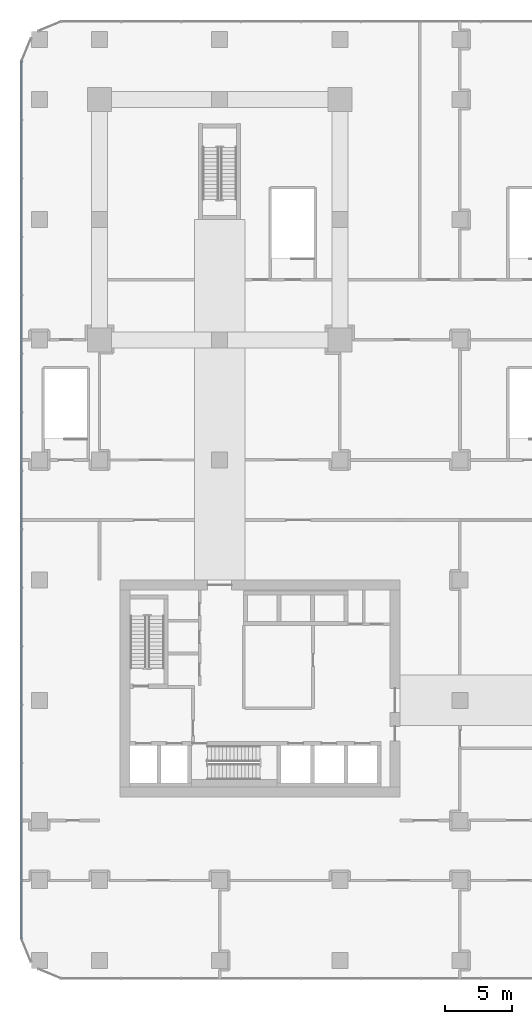
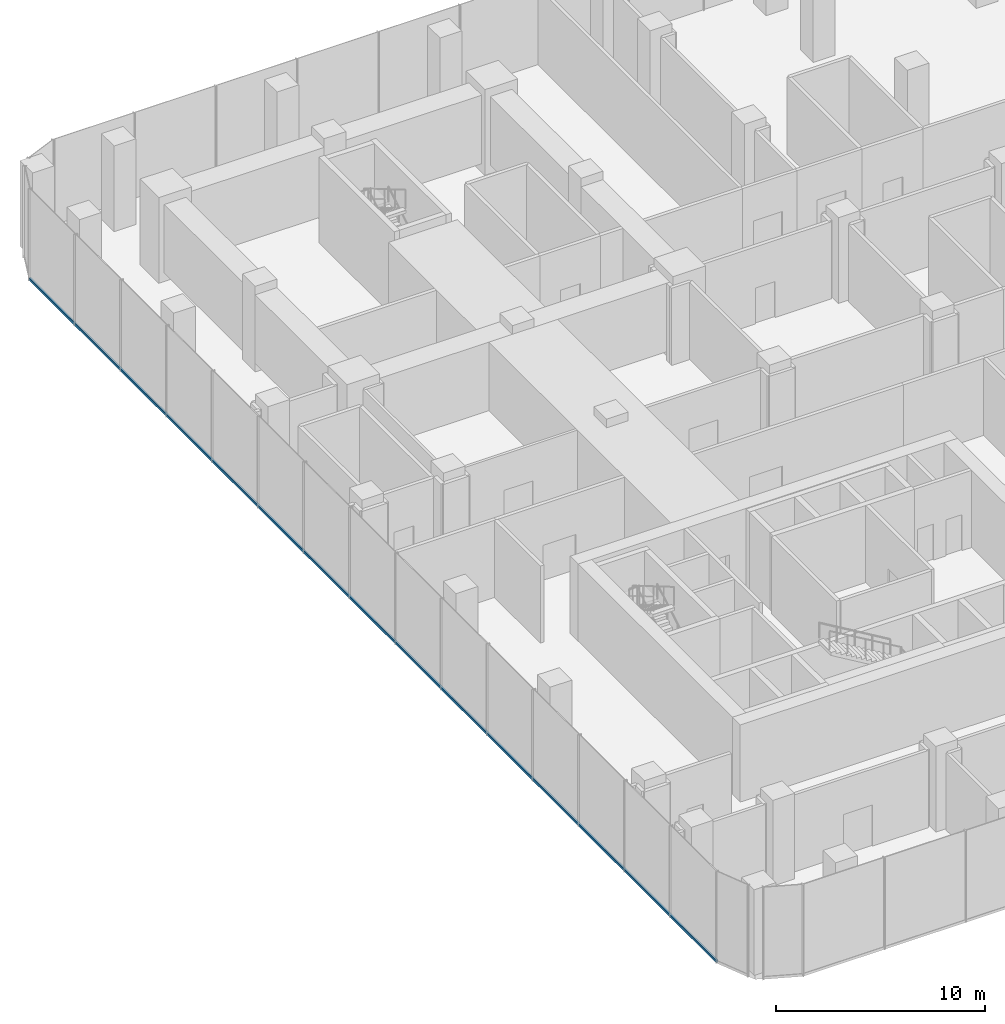
# One storey, part 9 of 36: 1 member, 1 element without a shape of its own.
"""IFC4 building model written with IfcOpenShell, lengths in metres."""

from ifc_helpers import new_model, si_unit, direction, frame, origin, origin_2d, place, context, subcontext, project, spatial, rectangle, extrude, material, layer, layer_set, material_profile, profile_set, type_object, element, aggregate, save


model = new_model("IFC4")

# Units and contexts
model_context = context("Model", 3, precision=1e-05, world=origin(), true_north=direction((0.0, 1.0)))
body_context = subcontext(model_context, "Body", "Model", "MODEL_VIEW")
ifc_project = project(units=[si_unit("LENGTHUNIT", "METRE"), si_unit("AREAUNIT", "SQUARE_METRE"), si_unit("VOLUMEUNIT", "CUBIC_METRE"), si_unit("PLANEANGLEUNIT", "RADIAN"), si_unit("MASSUNIT", "GRAM", prefix="KILO")], contexts=[model_context])

# Site, building, storey
site_placement = place(None, origin())
site = spatial("IfcSite", under=ifc_project, at=site_placement, CompositionType="ELEMENT")
building_placement = place(site_placement, origin())
building = spatial("IfcBuilding", under=site, at=building_placement, Name="Plateau Cross Towers", CompositionType="ELEMENT")
storey_placement = place(building_placement, frame((0.0, 0.0, 21.800048828125)))
storey = spatial("IfcBuildingStorey", under=building, at=storey_placement, Name="L04", CompositionType="ELEMENT", Elevation=21.800048828125)

# Curtain wall, member
ifc_material_1 = material(Name="Dark low-iron laminated glass", Category="glass")
ifc_layer = layer(ifc_material_1, 0.300048828125)
ifc_layer_set = layer_set([ifc_layer], Name="Dark low-iron laminated glass")
curtain_wall_type = type_object("IfcCurtainWallType", Name="Curtain wall structural silicone CW-C", PredefinedType="NOTDEFINED", material=ifc_layer_set)
curtain_wall_placement = place(storey_placement, origin())
curtain_wall = element("IfcCurtainWall", 1, at=curtain_wall_placement, inside=storey, type_object=curtain_wall_type, Name="ENV/P/L04/P-58_568", PredefinedType="NOTDEFINED")
ifc_material_2 = material(Name="Black anodised aluminium", Category="aluminium")
ifc_material_profile = material_profile(ifc_material_2, rectangle(XDim=0.10009765625, YDim=0.14990234375, at=origin_2d()), Name="TRANSOM 100x150")
ifc_profile_set = profile_set([ifc_material_profile], Name="Black anodised aluminium")
member_type = type_object("IfcMemberType", Name="Transom 100x150 structural silicone", PredefinedType="USERDEFINED", material=ifc_profile_set)
member_placement = place(storey_placement, frame((-5.85009765625, 56.85009765625, -0.275146484375), z_axis=(0.0, -1.0, 0.0), x_axis=(1.0, 0.0, 0.0)))
member = element("IfcMember", 2, at=member_placement, type_object=member_type, Name="CW-C transom", ObjectType="TRANSOM", PredefinedType="USERDEFINED", context=body_context, shape_type="SweptSolid", body=[
    extrude(rectangle(XDim=0.10009765625, YDim=0.14990234375, at=origin_2d()), origin(), (0.0, 0.0, 1.0), 65.7001953125),
])
aggregate(curtain_wall, [member])

save(model, "model.ifc")
